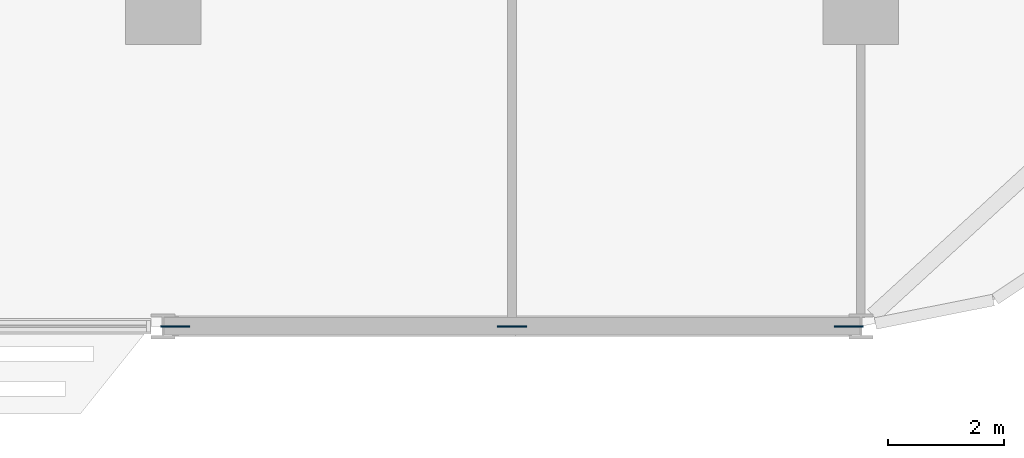
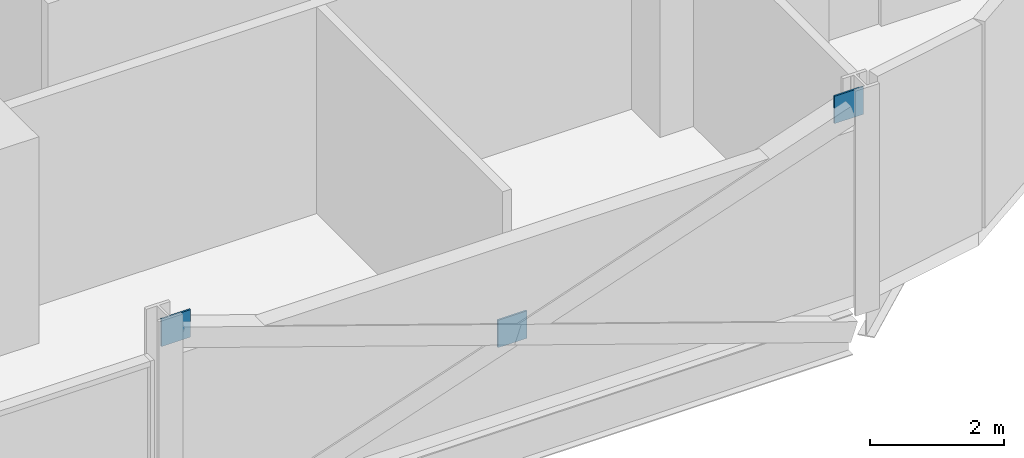
# One storey, part 23 of 29: 3 discrete accessories.
"""IFC4 building model written with IfcOpenShell, lengths in metres."""

from ifc_helpers import new_model, si_unit, direction, frame, origin, origin_2d, place, context, subcontext, project, spatial, rectangle, extrude, material, layer, layer_set, type_object, element, save


model = new_model("IFC4")

# Units and contexts
model_context = context("Model", 3, precision=1e-05, world=origin(), true_north=direction((0.0, 1.0)))
body_context = subcontext(model_context, "Body", "Model", "MODEL_VIEW")
ifc_project = project(units=[si_unit("LENGTHUNIT", "METRE"), si_unit("AREAUNIT", "SQUARE_METRE"), si_unit("VOLUMEUNIT", "CUBIC_METRE"), si_unit("PLANEANGLEUNIT", "RADIAN"), si_unit("MASSUNIT", "GRAM", prefix="KILO")], contexts=[model_context])

# Site, building, storey
site_placement = place(None, origin())
site = spatial("IfcSite", under=ifc_project, at=site_placement, CompositionType="ELEMENT")
building_placement = place(site_placement, origin())
building = spatial("IfcBuilding", under=site, at=building_placement, Name="Mahtab Terrace Research Tower", CompositionType="ELEMENT")
storey_placement = place(building_placement, frame((0.0, 0.0, 126.10009765625)))
storey = spatial("IfcBuildingStorey", under=building, at=storey_placement, Name="L29", CompositionType="ELEMENT", Elevation=126.10009765625)

# Discrete accessories
ifc_material = material(Name="Steel ASTM A992 Gr 50", Category="steel")
ifc_layer = layer(ifc_material, 0.030029296875)
ifc_layer_set = layer_set([ifc_layer], Name="Gusset plate 500x500x30")
discrete_accessory_type = type_object("IfcDiscreteAccessoryType", Name="Gusset plate 500x500x30", PredefinedType="USERDEFINED", material=ifc_layer_set)
for number, where, z_axis, x_axis, name in (
    (1, (30.205810546875, -17.0, 3.13134765625), (0.0, 0.0, 1.0), (1.0, 0.0, 0.0), "Gusset plate"),
    (2, (36.0, -17.0, 1.081298828125), (0.0, 0.0, 1.0), (1.0, 0.0, 0.0), "Gusset plate"),
    (3, (41.794189453125, -17.0, 3.13134765625), (0.0, 0.0, 1.0), (1.0, 0.0, 0.0), "Gusset plate"),
):
    element("IfcDiscreteAccessory", number, at=place(storey_placement, frame(where, z_axis=z_axis, x_axis=x_axis)), inside=storey, type_object=discrete_accessory_type, Name=name, ObjectType="GUSSET PLATE", PredefinedType="USERDEFINED", context=body_context, shape_type="SweptSolid", body=[
        extrude(rectangle(XDim=0.5, YDim=0.030029296875, at=origin_2d()), origin(), (0.0, 0.0, 1.0), 0.5),
    ])

save(model, "model.ifc")
